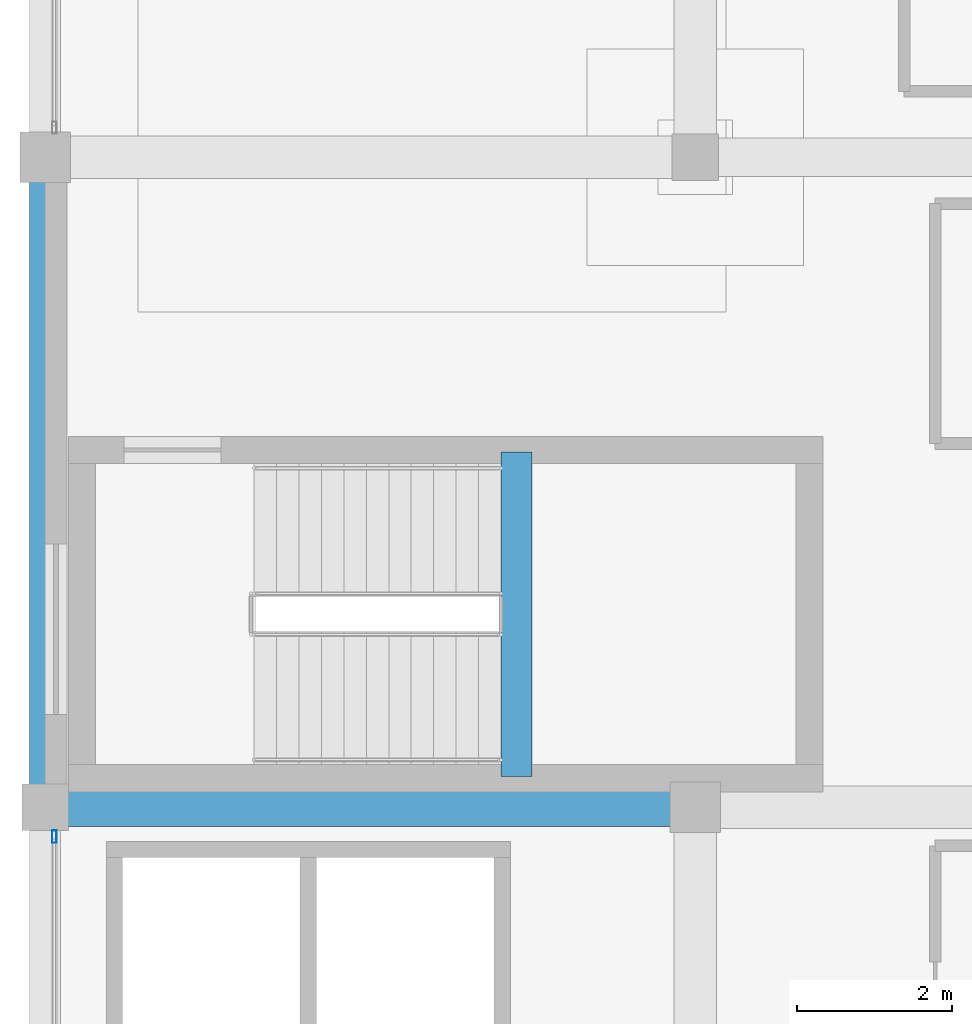
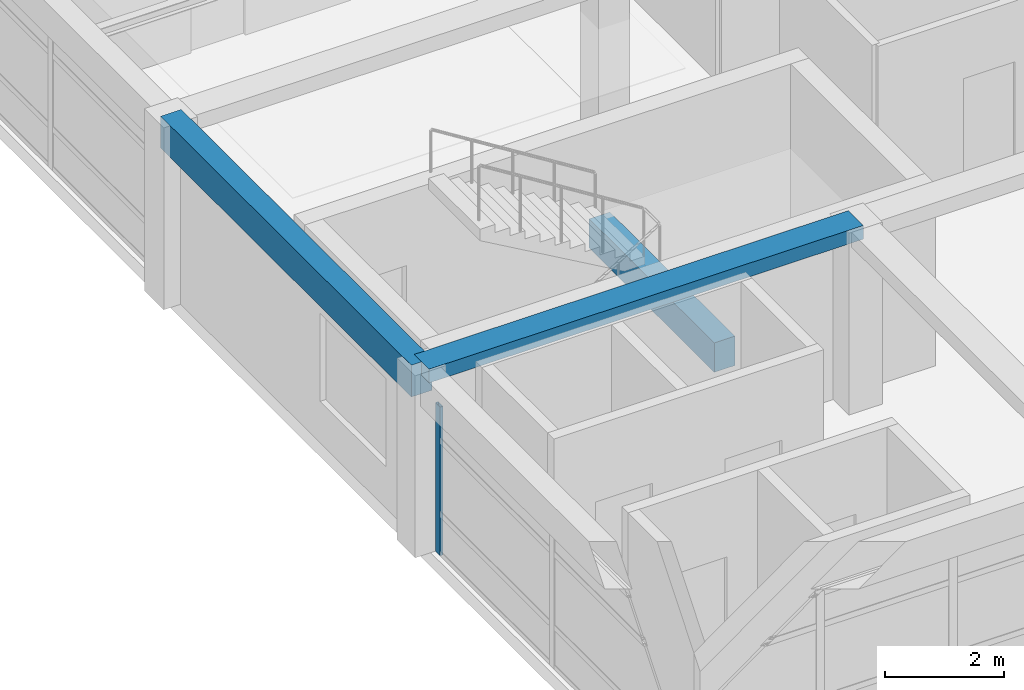
# One storey, part 4 of 25: 3 beams, 1 member, 1 element without a shape of its own.
"""IFC4 building model written with IfcOpenShell, lengths in metres."""

from ifc_helpers import new_model, si_unit, direction, frame, origin, origin_2d, place, context, subcontext, project, spatial, rectangle, hollow_rectangle, extrude, material, material_profile, profile_set, type_object, element, aggregate, save


model = new_model("IFC4")

# Units and contexts
model_context = context("Model", 3, precision=1e-05, world=origin(), true_north=direction((0.0, 1.0)))
body_context = subcontext(model_context, "Body", "Model", "MODEL_VIEW")
ifc_project = project(units=[si_unit("LENGTHUNIT", "METRE"), si_unit("AREAUNIT", "SQUARE_METRE"), si_unit("VOLUMEUNIT", "CUBIC_METRE"), si_unit("PLANEANGLEUNIT", "RADIAN"), si_unit("MASSUNIT", "GRAM", prefix="KILO")], contexts=[model_context])

# Site, building, storey
site_placement = place(None, origin())
site = spatial("IfcSite", under=ifc_project, at=site_placement, CompositionType="ELEMENT")
building_placement = place(site_placement, origin())
building = spatial("IfcBuilding", under=site, at=building_placement, Name="Almacenes y Pasaje Nevantli", CompositionType="ELEMENT")
storey_placement = place(building_placement, frame((0.0, 0.0, 50.699951171875)))
storey = spatial("IfcBuildingStorey", under=building, at=storey_placement, Name="L12", CompositionType="ELEMENT", Elevation=50.699951171875)

# Beams
ifc_material_1 = material(Name="Concrete C35/45", Category="concrete")
ifc_material_profile_1 = material_profile(ifc_material_1, rectangle(XDim=0.39990234375, YDim=0.60009765625, at=origin_2d()), Name="RC-BM-400x600")
ifc_profile_set_1 = profile_set([ifc_material_profile_1], Name="Concrete C35/45")
beam_type_1 = type_object("IfcBeamType", Name="BM-RC-400x600", PredefinedType="SPANDREL", material=ifc_profile_set_1)
beam_1_placement = place(storey_placement, frame((123.68994140625, 76.0, 1.5), z_axis=(0.0, 1.0, 0.0), x_axis=(-1.0, 0.0, 0.0)))
element("IfcBeam", 1, at=beam_1_placement, inside=storey, type_object=beam_type_1, Name="L12 Stair ST-01 Half-Landing Support Beam", PredefinedType="SPANDREL", context=body_context, shape_type="SweptSolid", body=[
    extrude(rectangle(XDim=0.39990234375, YDim=0.60009765625, at=origin_2d()), origin(), (0.0, 0.0, 1.0), 4.18994140625),
])
ifc_material_2 = material(Name="Concrete C35/45", Category="concrete")
ifc_material_profile_2 = material_profile(ifc_material_2, rectangle(XDim=0.39990234375, YDim=0.64990234375, at=origin_2d()), Name="RC-BM-400x650")
ifc_profile_set_2 = profile_set([ifc_material_profile_2], Name="Concrete C35/45")
beam_type_2 = type_object("IfcBeamType", Name="BM-RC-400x650", PredefinedType="SPANDREL", material=ifc_profile_set_2)
beam_2_placement = place(storey_placement, frame((117.60009765625, 75.60009765625, 3.39501953125), z_axis=(0.0, 1.0, 0.0), x_axis=(-1.0, 0.0, 0.0)))
element("IfcBeam", 2, at=beam_2_placement, inside=storey, type_object=beam_type_2, Name="L12 North-South Reinforced Concrete Beam #3917", PredefinedType="SPANDREL", context=body_context, shape_type="SweptSolid", body=[
    extrude(rectangle(XDim=0.39990234375, YDim=0.64990234375, at=origin_2d()), origin(), (0.0, 0.0, 1.0), 8.39990234375),
])
ifc_material_3 = material(Name="Concrete C35/45", Category="concrete")
ifc_material_profile_3 = material_profile(ifc_material_3, rectangle(XDim=0.5, YDim=0.280029296875, at=origin_2d()), Name="RC-BM-500x280")
ifc_profile_set_3 = profile_set([ifc_material_profile_3], Name="Concrete C35/45")
beam_type_3 = type_object("IfcBeamType", Name="BM-RC-500x280", PredefinedType="BEAM", material=ifc_profile_set_3)
beam_3_placement = place(storey_placement, frame((117.60009765625, 75.60009765625, 3.580078125), z_axis=(1.0, 0.0, 0.0), x_axis=(0.0, 1.0, 0.0)))
element("IfcBeam", 3, at=beam_3_placement, inside=storey, type_object=beam_type_3, Name="L12 East-West Reinforced Concrete Beam #3896", PredefinedType="BEAM", context=body_context, shape_type="SweptSolid", body=[
    extrude(rectangle(XDim=0.5, YDim=0.280029296875, at=origin_2d()), origin(), (0.0, 0.0, 1.0), 8.39990234375),
])

# Curtain wall, member
ifc_material_4 = material(Name="Thermally Broken Aluminium and Low-E Glass", Category="aluminium")
curtain_wall_type = type_object("IfcCurtainWallType", Name="CW-UNIT-TOWER", PredefinedType="USERDEFINED", material=ifc_material_4)
curtain_wall_placement = place(storey_placement, origin())
curtain_wall = element("IfcCurtainWall", 4, at=curtain_wall_placement, inside=storey, type_object=curtain_wall_type, Name="L12 Tower West Curtain Wall Bay 9", ObjectType="UNITIZED CURTAIN WALL", PredefinedType="USERDEFINED")
ifc_material_5 = material(Name="Thermally Broken Anodized Aluminium", Category="aluminium")
ifc_material_profile_4 = material_profile(ifc_material_5, hollow_rectangle(XDim=0.06005859375, YDim=0.159912109375, WallThickness=0.00390625, at=origin_2d()), Name="ALU-MUL-60x160")
ifc_profile_set_4 = profile_set([ifc_material_profile_4], Name="Thermally Broken Anodized Aluminium")
member_type = type_object("IfcMemberType", Name="CW-MUL-180", PredefinedType="MULLION", material=ifc_profile_set_4)
member_placement = place(storey_placement, frame((117.719970703125, 75.219970703125, 0.0), z_axis=(0.0, 0.0, 1.0), x_axis=(-1.0, 0.0, 0.0)))
member = element("IfcMember", 5, at=member_placement, type_object=member_type, Name="CW-L12-164 mullion 3", PredefinedType="MULLION", context=body_context, shape_type="SweptSolid", body=[
    extrude(hollow_rectangle(XDim=0.06005859375, YDim=0.159912109375, WallThickness=0.00390625, at=origin_2d()), origin(), (0.0, 0.0, 1.0), 3.0400390625),
])
aggregate(curtain_wall, [member])

save(model, "model.ifc")
